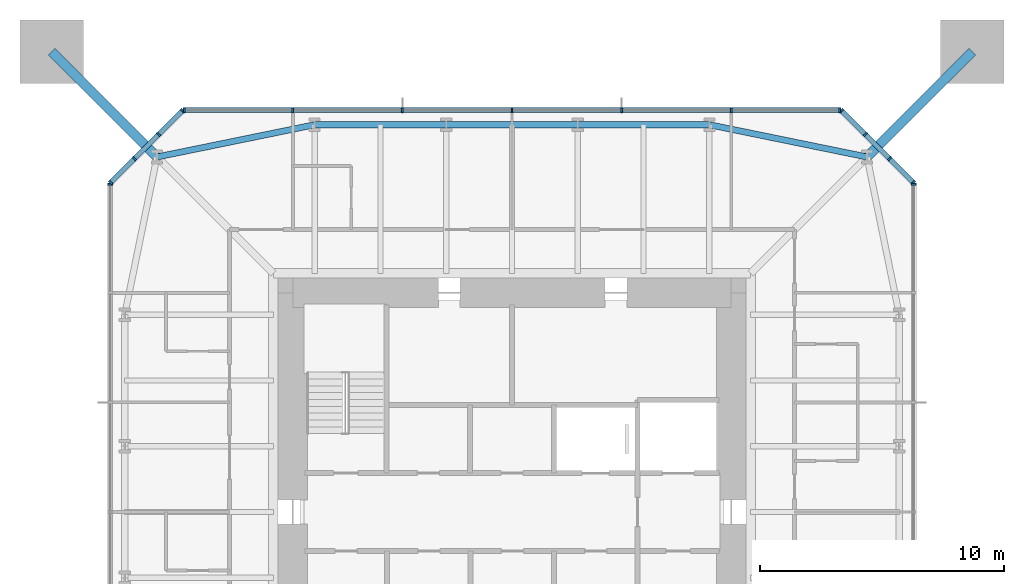
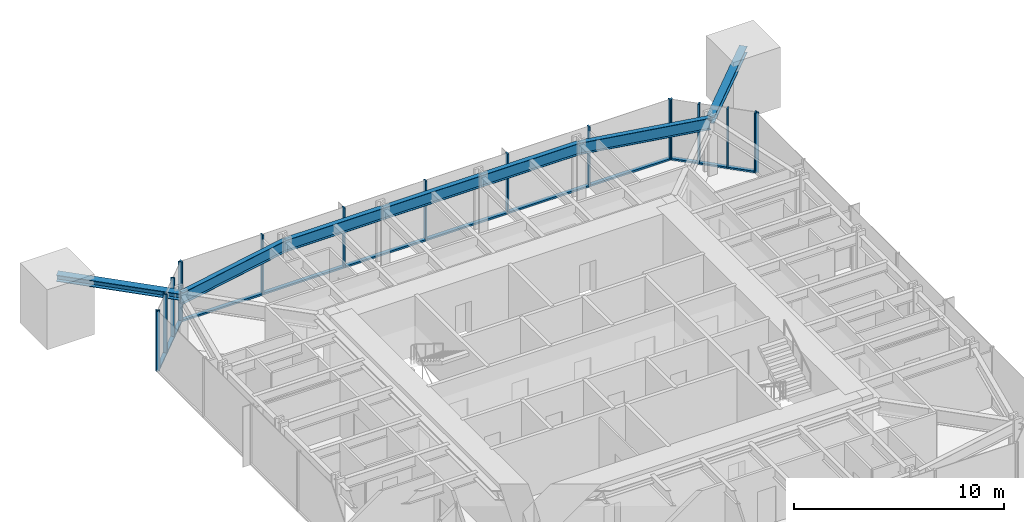
# One storey, part 4 of 9: 31 members, 5 beams, 5 elements without a shape of their own.
"""IFC4 building model written with IfcOpenShell, lengths in metres."""

import ifcopenshell
import ifcopenshell.guid

model = None  # the IFC model being written
_history = None  # IfcOwnerHistory: only IFC2X3 demands one
_inside = {}  # id of a spatial element -> (the spatial element, [elements in it])
_under = {}  # id of a project, library or spatial element -> (it, [spatial elements below it])
_declared = {}  # id of a project -> (the project, [libraries it declares])
_typed = {}  # id of a type object -> (the type object, [elements of that type])
_made_of = {}  # id of a material, layer set ... -> (it, [elements and type objects made of it])


def new_model(schema):
    """Start an empty IFC model of exactly this schema.

    Asked for "IFC4X3", IfcOpenShell would pick the latest addendum, in which some entities
    have other attributes; the version numbers below select the first issue.
    IFC2X3 requires an IfcOwnerHistory on every rooted entity: one is made here for all.
    """
    global model, _history
    if schema == "IFC4X3":
        model = ifcopenshell.file(schema_version=(4, 3, 0, 0))
    else:
        model = ifcopenshell.file(schema=schema)
    _inside.clear()
    _under.clear()
    _declared.clear()
    _typed.clear()
    _made_of.clear()
    _history = None
    if model.schema == "IFC2X3":
        org = make("IfcOrganization", Name="unknown")
        user = make(
            "IfcPersonAndOrganization",
            ThePerson=make("IfcPerson", FamilyName="unknown"),
            TheOrganization=org,
        )
        app = make(
            "IfcApplication",
            ApplicationDeveloper=org,
            Version="unknown",
            ApplicationFullName="unknown",
            ApplicationIdentifier="unknown",
        )
        _history = make(
            "IfcOwnerHistory",
            OwningUser=user,
            OwningApplication=app,
            ChangeAction="ADDED",
            CreationDate=0,
        )
    return model


def make(cls, **values):
    """One entity of the class cls with the attributes given. An attribute that is None is left unset."""
    return model.create_entity(
        cls, **{name: value for name, value in values.items() if value is not None}
    )


def rooted(cls, **values):
    """An entity with a GlobalId (a new one), such as an element, a storey or a relation."""
    return make(cls, GlobalId=ifcopenshell.guid.new(), OwnerHistory=_history, **values)


def si_unit(unit_type, name, prefix=None):
    """IfcSIUnit, for example si_unit("LENGTHUNIT", "METRE", prefix="MILLI")."""
    return make("IfcSIUnit", UnitType=unit_type, Prefix=prefix, Name=name)


def assignment(units):
    """IfcUnitAssignment: the units of a project."""
    return None if units is None else make("IfcUnitAssignment", Units=units)


def point(xyz):
    """IfcCartesianPoint."""
    return None if xyz is None else make("IfcCartesianPoint", Coordinates=xyz)


def direction(xyz):
    """IfcDirection."""
    return None if xyz is None else make("IfcDirection", DirectionRatios=xyz)


def frame(location, z_axis=None, x_axis=None):
    """IfcAxis2Placement3D, a coordinate frame: its origin and axes. An axis left out is left unset."""
    return make(
        "IfcAxis2Placement3D",
        Location=point(location),
        Axis=direction(z_axis),
        RefDirection=direction(x_axis),
    )


def frame_2d(location, x_axis=None):
    """IfcAxis2Placement2D, a coordinate frame in the plane: its origin and x axis."""
    return make(
        "IfcAxis2Placement2D", Location=point(location), RefDirection=direction(x_axis)
    )


def origin():
    """The frame at (0, 0, 0) with its axes left unset."""
    return frame((0.0, 0.0, 0.0))


def origin_2d():
    """The frame at (0, 0) in the plane with its x axis left unset."""
    return frame_2d((0.0, 0.0))


def place(relative_to, where):
    """IfcLocalPlacement: puts the frame where relative to a parent placement (None: the world)."""
    return make(
        "IfcLocalPlacement", PlacementRelTo=relative_to, RelativePlacement=where
    )


def context(
    kind, dimensions, precision=None, world=None, true_north=None, identifier=None
):
    """IfcGeometricRepresentationContext, for example the 3D "Model" context."""
    return make(
        "IfcGeometricRepresentationContext",
        ContextIdentifier=identifier,
        ContextType=kind,
        CoordinateSpaceDimension=dimensions,
        Precision=precision,
        WorldCoordinateSystem=world,
        TrueNorth=true_north,
    )


def subcontext(parent, identifier, kind, view, scale=None):
    """IfcGeometricRepresentationSubContext, for example "Body" below "Model"."""
    return make(
        "IfcGeometricRepresentationSubContext",
        ContextIdentifier=identifier,
        ContextType=kind,
        ParentContext=parent,
        TargetScale=scale,
        TargetView=view,
    )


def project(units=None, contexts=None):
    """IfcProject with its units and contexts."""
    return rooted(
        "IfcProject",
        Name="project",
        RepresentationContexts=contexts,
        UnitsInContext=assignment(units),
    )


def spatial(cls, under=None, at=None, **own):
    """A site, building, storey or space (cls), placed at a placement, below another one or the project."""
    s = rooted(cls, ObjectPlacement=at, **own)
    if under is not None:
        _under.setdefault(under.id(), (under, []))[1].append(s)
    return s


def profile(cls, at=None, kind="AREA", **sizes):
    """A parametric profile (cls). Its sizes go by their IFC names, for example OverallWidth=200.0."""
    return make(cls, ProfileType=kind, Position=at, **sizes)


def rectangle(**sizes):
    """IfcRectangleProfileDef."""
    return profile("IfcRectangleProfileDef", **sizes)


def i_section(**sizes):
    """IfcIShapeProfileDef."""
    return profile("IfcIShapeProfileDef", **sizes)


def extrude(swept, where, along, depth):
    """IfcExtrudedAreaSolid: the profile swept, set in the frame where, extruded along a direction by depth."""
    return make(
        "IfcExtrudedAreaSolid",
        SweptArea=swept,
        Position=where,
        ExtrudedDirection=direction(along),
        Depth=depth,
    )


def shape(context_of_items, identifier, shape_type, items):
    """IfcShapeRepresentation: the items that make up one representation, for example the "Body"."""
    return make(
        "IfcShapeRepresentation",
        ContextOfItems=context_of_items,
        RepresentationIdentifier=identifier,
        RepresentationType=shape_type,
        Items=items,
    )


def material(Name=None, Category=None):
    """IfcMaterial."""
    return make("IfcMaterial", Name=Name, Category=Category)


def material_profile(
    of_material, cross_section, Name=None, Category=None, Priority=None
):
    """IfcMaterialProfile: a cross section and its material."""
    return make(
        "IfcMaterialProfile",
        Name=Name,
        Material=of_material,
        Profile=cross_section,
        Priority=Priority,
        Category=Category,
    )


def profile_set(profiles, Name=None, composite=None):
    """IfcMaterialProfileSet."""
    return make(
        "IfcMaterialProfileSet",
        Name=Name,
        MaterialProfiles=profiles,
        CompositeProfile=composite,
    )


def made_of(thing, what):
    """Note that an element or type object is made of a material, layer set ...; save() writes the relation."""
    if what is not None:
        _made_of.setdefault(what.id(), (what, []))[1].append(thing)
    return thing


def type_object(cls, material=None, **own):
    """A type object (cls), such as IfcWallType, which elements share."""
    return made_of(rooted(cls, **own), material)


def element(
    cls,
    number,
    at=None,
    inside=None,
    cuts=None,
    type_object=None,
    material=None,
    context=None,
    identifier="Body",
    shape_type=None,
    held_by="IfcProductDefinitionShape",
    body=None,
    shapes=None,
    **own,
):
    """One element of the class cls, such as IfcWall. Its Tag is "e" and its number.

    at: its placement. inside: the storey or other place that contains it. cuts: it is an
    opening in that element (IfcRelVoidsElement). A single representation is given by context,
    identifier, shape_type and body (its items); several are given by shapes. held_by: the class
    of the entity that holds the representations. save() writes the other relations.
    """
    e = rooted(cls, Tag="e%d" % number, ObjectPlacement=at, **own)
    if body is not None:
        shapes = [shape(context, identifier, shape_type, body)]
    if shapes is not None:
        e.Representation = make(held_by, Representations=shapes)
    if inside is not None:
        _inside.setdefault(inside.id(), (inside, []))[1].append(e)
    if cuts is not None:
        rooted(
            "IfcRelVoidsElement", RelatingBuildingElement=cuts, RelatedOpeningElement=e
        )
    if type_object is not None:
        _typed.setdefault(type_object.id(), (type_object, []))[1].append(e)
    return made_of(e, material)


def aggregate(whole, parts):
    """IfcRelAggregates: a whole, such as a stair, and the parts it consists of."""
    return rooted("IfcRelAggregates", RelatingObject=whole, RelatedObjects=parts)


def save(model, path):
    """Write the relations noted so far, then the file.

    IfcRelAggregates (storeys below a building ...), IfcRelContainedInSpatialStructure (elements
    in a storey), IfcRelDefinesByType, IfcRelAssociatesMaterial and IfcRelDeclares: one each for
    every whole, place, type object, material and project.
    """
    for whole, parts in _under.values():
        aggregate(whole, parts)
    for where, things in _inside.values():
        rooted(
            "IfcRelContainedInSpatialStructure",
            RelatedElements=things,
            RelatingStructure=where,
        )
    for kind, things in _typed.values():
        rooted("IfcRelDefinesByType", RelatedObjects=things, RelatingType=kind)
    for what, things in _made_of.values():
        rooted("IfcRelAssociatesMaterial", RelatedObjects=things, RelatingMaterial=what)
    for by, libraries in _declared.values():
        rooted("IfcRelDeclares", RelatingContext=by, RelatedDefinitions=libraries)
    model.write(path)


model = new_model("IFC4")

# Units and contexts
model_context = context("Model", 3, precision=1e-05, world=origin(), true_north=direction((0.0, 1.0)))
body_context = subcontext(model_context, "Body", "Model", "MODEL_VIEW")
ifc_project = project(units=[si_unit("LENGTHUNIT", "METRE"), si_unit("AREAUNIT", "SQUARE_METRE"), si_unit("VOLUMEUNIT", "CUBIC_METRE"), si_unit("PLANEANGLEUNIT", "RADIAN"), si_unit("MASSUNIT", "GRAM", prefix="KILO")], contexts=[model_context])

# Site, building, storey
site_placement = place(None, origin())
site = spatial("IfcSite", under=ifc_project, at=site_placement, CompositionType="ELEMENT")
building_placement = place(site_placement, origin())
building = spatial("IfcBuilding", under=site, at=building_placement, Name="Iwan Alto Co-Living Towers", CompositionType="ELEMENT")
storey_placement = place(building_placement, frame((0.0, 0.0, 264.0)))
storey = spatial("IfcBuildingStorey", under=building, at=storey_placement, Name="L72", CompositionType="ELEMENT", Elevation=264.0)

# Curtain wall, member
ifc_material_1 = material(Name="Bronze aluminium unitised frame", Category="aluminium")
curtain_wall_type_1 = type_object("IfcCurtainWallType", Name="CURTAIN WALL CW-A", PredefinedType="NOTDEFINED", material=ifc_material_1)
curtain_wall_1_placement = place(storey_placement, origin())
curtain_wall_1 = element("IfcCurtainWall", 1, at=curtain_wall_1_placement, inside=storey, type_object=curtain_wall_type_1, Name="T1 curtain wall E L72", PredefinedType="NOTDEFINED")
ifc_material_2 = material(Name="Aluminium 6063-T6 bronze anodised", Category="aluminium")
ifc_material_profile_1 = material_profile(ifc_material_2, rectangle(XDim=0.199951171875, YDim=0.080078125, at=origin_2d()), Name="AL 80X200")
ifc_profile_set_1 = profile_set([ifc_material_profile_1], Name="Aluminium 6063-T6 bronze anodised")
member_type_1 = type_object("IfcMemberType", Name="CW-A MULLION 80X200", PredefinedType="MULLION", material=ifc_profile_set_1)
member_1_placement = place(storey_placement, frame((16.5, 13.4599609375, 0.0), z_axis=(0.0, 0.0, 1.0), x_axis=(-1.0, 0.0, 0.0)))
member_1 = element("IfcMember", 2, at=member_1_placement, type_object=member_type_1, Name="CW-A mullion 7", PredefinedType="MULLION", context=body_context, shape_type="SweptSolid", body=[
    extrude(rectangle(XDim=0.199951171875, YDim=0.080078125, at=origin_2d()), origin(), (0.0, 0.0, 1.0), 3.5),
])
aggregate(curtain_wall_1, [member_1])

# Curtain wall, members
curtain_wall_2_placement = place(storey_placement, origin())
curtain_wall_2 = element("IfcCurtainWall", 3, at=curtain_wall_2_placement, inside=storey, type_object=curtain_wall_type_1, Name="T1 curtain wall N L72", PredefinedType="NOTDEFINED")
member_2_placement = place(storey_placement, frame((13.4599609375, 16.5, 0.0), z_axis=(0.0, 0.0, 1.0), x_axis=(0.0, -1.0, 0.0)))
member_2 = element("IfcMember", 4, at=member_2_placement, type_object=member_type_1, Name="CW-A mullion 1", PredefinedType="MULLION", context=body_context, shape_type="SweptSolid", body=[
    extrude(rectangle(XDim=0.199951171875, YDim=0.080078125, at=origin_2d()), origin(), (0.0, 0.0, 1.0), 3.5),
])
member_3_placement = place(storey_placement, frame((9.0, 16.5, 0.0), z_axis=(0.0, 0.0, 1.0), x_axis=(0.0, -1.0, 0.0)))
member_3 = element("IfcMember", 5, at=member_3_placement, type_object=member_type_1, Name="CW-A mullion 2", PredefinedType="MULLION", context=body_context, shape_type="SweptSolid", body=[
    extrude(rectangle(XDim=0.199951171875, YDim=0.080078125, at=origin_2d()), origin(), (0.0, 0.0, 1.0), 3.5),
])
member_4_placement = place(storey_placement, frame((4.5, 16.5, 0.0), z_axis=(0.0, 0.0, 1.0), x_axis=(0.0, -1.0, 0.0)))
member_4 = element("IfcMember", 6, at=member_4_placement, type_object=member_type_1, Name="CW-A mullion 3", PredefinedType="MULLION", context=body_context, shape_type="SweptSolid", body=[
    extrude(rectangle(XDim=0.199951171875, YDim=0.080078125, at=origin_2d()), origin(), (0.0, 0.0, 1.0), 3.5),
])
member_5_placement = place(storey_placement, frame((0.0, 16.5, 0.0), z_axis=(0.0, 0.0, 1.0), x_axis=(0.0, -1.0, 0.0)))
member_5 = element("IfcMember", 7, at=member_5_placement, type_object=member_type_1, Name="CW-A mullion 4", PredefinedType="MULLION", context=body_context, shape_type="SweptSolid", body=[
    extrude(rectangle(XDim=0.199951171875, YDim=0.080078125, at=origin_2d()), origin(), (0.0, 0.0, 1.0), 3.5),
])
member_6_placement = place(storey_placement, frame((-4.5, 16.5, 0.0), z_axis=(0.0, 0.0, 1.0), x_axis=(0.0, -1.0, 0.0)))
member_6 = element("IfcMember", 8, at=member_6_placement, type_object=member_type_1, Name="CW-A mullion 5", PredefinedType="MULLION", context=body_context, shape_type="SweptSolid", body=[
    extrude(rectangle(XDim=0.199951171875, YDim=0.080078125, at=origin_2d()), origin(), (0.0, 0.0, 1.0), 3.5),
])
member_7_placement = place(storey_placement, frame((-9.0, 16.5, 0.0), z_axis=(0.0, 0.0, 1.0), x_axis=(0.0, -1.0, 0.0)))
member_7 = element("IfcMember", 9, at=member_7_placement, type_object=member_type_1, Name="CW-A mullion 6", PredefinedType="MULLION", context=body_context, shape_type="SweptSolid", body=[
    extrude(rectangle(XDim=0.199951171875, YDim=0.080078125, at=origin_2d()), origin(), (0.0, 0.0, 1.0), 3.5),
])
member_8_placement = place(storey_placement, frame((-13.4599609375, 16.5, 0.0), z_axis=(0.0, 0.0, 1.0), x_axis=(0.0, -1.0, 0.0)))
member_8 = element("IfcMember", 10, at=member_8_placement, type_object=member_type_1, Name="CW-A mullion 7", PredefinedType="MULLION", context=body_context, shape_type="SweptSolid", body=[
    extrude(rectangle(XDim=0.199951171875, YDim=0.080078125, at=origin_2d()), origin(), (0.0, 0.0, 1.0), 3.5),
])

# Curtain wall, member
curtain_wall_3_placement = place(storey_placement, origin())
curtain_wall_3 = element("IfcCurtainWall", 11, at=curtain_wall_3_placement, inside=storey, type_object=curtain_wall_type_1, Name="T1 curtain wall W L72", PredefinedType="NOTDEFINED")
member_9_placement = place(storey_placement, frame((-16.5, 13.4599609375, 0.0), z_axis=(0.0, 0.0, 1.0), x_axis=(1.0, 0.0, 0.0)))
member_9 = element("IfcMember", 12, at=member_9_placement, type_object=member_type_1, Name="CW-A mullion 1", PredefinedType="MULLION", context=body_context, shape_type="SweptSolid", body=[
    extrude(rectangle(XDim=0.199951171875, YDim=0.080078125, at=origin_2d()), origin(), (0.0, 0.0, 1.0), 3.5),
])
aggregate(curtain_wall_3, [member_9])

# Member
ifc_material_3 = material(Name="Aluminium 6063-T6 bronze anodised", Category="aluminium")
ifc_material_profile_2 = material_profile(ifc_material_3, rectangle(XDim=0.199951171875, YDim=0.10009765625, at=origin_2d()), Name="AL 200X100")
ifc_profile_set_2 = profile_set([ifc_material_profile_2], Name="Aluminium 6063-T6 bronze anodised")
member_type_2 = type_object("IfcMemberType", Name="CW-A TRANSOM 200X100", PredefinedType="USERDEFINED", material=ifc_profile_set_2)
member_10_placement = place(storey_placement, frame((13.419921875, 16.5, 0.050048828125), z_axis=(-1.0, 0.0, 0.0), x_axis=(0.0, -1.0, 0.0)))
member_10 = element("IfcMember", 13, at=member_10_placement, type_object=member_type_2, Name="CW-A transom 1.1", ObjectType="TRANSOM", PredefinedType="USERDEFINED", context=body_context, shape_type="SweptSolid", body=[
    extrude(rectangle(XDim=0.199951171875, YDim=0.10009765625, at=origin_2d()), origin(), (0.0, 0.0, 1.0), 4.3798828125),
])

member_11_placement = place(storey_placement, frame((8.9599609375, 16.5, 0.050048828125), z_axis=(-1.0, 0.0, 0.0), x_axis=(0.0, -1.0, 0.0)))
member_11 = element("IfcMember", 14, at=member_11_placement, type_object=member_type_2, Name="CW-A transom 2.1", ObjectType="TRANSOM", PredefinedType="USERDEFINED", context=body_context, shape_type="SweptSolid", body=[
    extrude(rectangle(XDim=0.199951171875, YDim=0.10009765625, at=origin_2d()), origin(), (0.0, 0.0, 1.0), 4.419921875),
])

member_12_placement = place(storey_placement, frame((4.4599609375, 16.5, 0.050048828125), z_axis=(-1.0, 0.0, 0.0), x_axis=(0.0, -1.0, 0.0)))
member_12 = element("IfcMember", 15, at=member_12_placement, type_object=member_type_2, Name="CW-A transom 3.1", ObjectType="TRANSOM", PredefinedType="USERDEFINED", context=body_context, shape_type="SweptSolid", body=[
    extrude(rectangle(XDim=0.199951171875, YDim=0.10009765625, at=origin_2d()), origin(), (0.0, 0.0, 1.0), 4.419921875),
])

member_13_placement = place(storey_placement, frame((-0.0400390625, 16.5, 0.050048828125), z_axis=(-1.0, 0.0, 0.0), x_axis=(0.0, -1.0, 0.0)))
member_13 = element("IfcMember", 16, at=member_13_placement, type_object=member_type_2, Name="CW-A transom 4.1", ObjectType="TRANSOM", PredefinedType="USERDEFINED", context=body_context, shape_type="SweptSolid", body=[
    extrude(rectangle(XDim=0.199951171875, YDim=0.10009765625, at=origin_2d()), origin(), (0.0, 0.0, 1.0), 4.419921875),
])

member_14_placement = place(storey_placement, frame((-4.5400390625, 16.5, 0.050048828125), z_axis=(-1.0, 0.0, 0.0), x_axis=(0.0, -1.0, 0.0)))
member_14 = element("IfcMember", 17, at=member_14_placement, type_object=member_type_2, Name="CW-A transom 5.1", ObjectType="TRANSOM", PredefinedType="USERDEFINED", context=body_context, shape_type="SweptSolid", body=[
    extrude(rectangle(XDim=0.199951171875, YDim=0.10009765625, at=origin_2d()), origin(), (0.0, 0.0, 1.0), 4.419921875),
])

member_15_placement = place(storey_placement, frame((-9.0400390625, 16.5, 0.050048828125), z_axis=(-1.0, 0.0, 0.0), x_axis=(0.0, -1.0, 0.0)))
member_15 = element("IfcMember", 18, at=member_15_placement, type_object=member_type_2, Name="CW-A transom 6.1", ObjectType="TRANSOM", PredefinedType="USERDEFINED", context=body_context, shape_type="SweptSolid", body=[
    extrude(rectangle(XDim=0.199951171875, YDim=0.10009765625, at=origin_2d()), origin(), (0.0, 0.0, 1.0), 4.3798828125),
])

aggregate(curtain_wall_2, [member_2, member_3, member_4, member_5, member_6, member_7, member_8, member_10, member_11, member_12, member_13, member_14, member_15])

# Curtain wall, members
ifc_material_4 = material(Name="Bronze aluminium unitised frame", Category="aluminium")
curtain_wall_type_2 = type_object("IfcCurtainWallType", Name="CURTAIN WALL CW-B", PredefinedType="NOTDEFINED", material=ifc_material_4)
curtain_wall_4_placement = place(storey_placement, origin())
curtain_wall_4 = element("IfcCurtainWall", 19, at=curtain_wall_4_placement, inside=storey, type_object=curtain_wall_type_2, Name="T1 chamfer curtain wall NE L72", PredefinedType="NOTDEFINED")
ifc_material_5 = material(Name="Aluminium 6063-T6 bronze anodised", Category="aluminium")
ifc_material_profile_3 = material_profile(ifc_material_5, rectangle(XDim=0.199951171875, YDim=0.080078125, at=origin_2d()), Name="AL 80X200")
ifc_profile_set_3 = profile_set([ifc_material_profile_3], Name="Aluminium 6063-T6 bronze anodised")
member_type_3 = type_object("IfcMemberType", Name="CW-B MULLION 80X200", PredefinedType="MULLION", material=ifc_profile_set_3)
member_16_placement = place(storey_placement, frame((16.4716796875, 13.5283203125, 0.0), z_axis=(0.0, 0.0, 1.0), x_axis=(-0.707106781187, -0.707106781187, 0.0)))
member_16 = element("IfcMember", 20, at=member_16_placement, type_object=member_type_3, Name="CW-B mullion 1", PredefinedType="MULLION", context=body_context, shape_type="SweptSolid", body=[
    extrude(rectangle(XDim=0.199951171875, YDim=0.080078125, at=origin_2d()), origin(), (0.0, 0.0, 1.0), 3.5),
])
member_17_placement = place(storey_placement, frame((15.5, 14.5, 0.0), z_axis=(0.0, 0.0, 1.0), x_axis=(-0.707106781187, -0.707106781187, 0.0)))
member_17 = element("IfcMember", 21, at=member_17_placement, type_object=member_type_3, Name="CW-B mullion 2", PredefinedType="MULLION", context=body_context, shape_type="SweptSolid", body=[
    extrude(rectangle(XDim=0.199951171875, YDim=0.080078125, at=origin_2d()), origin(), (0.0, 0.0, 1.0), 3.5),
])
member_18_placement = place(storey_placement, frame((14.5, 15.5, 0.0), z_axis=(0.0, 0.0, 1.0), x_axis=(-0.707106781187, -0.707106781187, 0.0)))
member_18 = element("IfcMember", 22, at=member_18_placement, type_object=member_type_3, Name="CW-B mullion 3", PredefinedType="MULLION", context=body_context, shape_type="SweptSolid", body=[
    extrude(rectangle(XDim=0.199951171875, YDim=0.080078125, at=origin_2d()), origin(), (0.0, 0.0, 1.0), 3.5),
])
member_19_placement = place(storey_placement, frame((13.5283203125, 16.4716796875, 0.0), z_axis=(0.0, 0.0, 1.0), x_axis=(-0.707106781187, -0.707106781187, 0.0)))
member_19 = element("IfcMember", 23, at=member_19_placement, type_object=member_type_3, Name="CW-B mullion 4", PredefinedType="MULLION", context=body_context, shape_type="SweptSolid", body=[
    extrude(rectangle(XDim=0.199951171875, YDim=0.080078125, at=origin_2d()), origin(), (0.0, 0.0, 1.0), 3.5),
])

curtain_wall_5_placement = place(storey_placement, origin())
curtain_wall_5 = element("IfcCurtainWall", 24, at=curtain_wall_5_placement, inside=storey, type_object=curtain_wall_type_2, Name="T1 chamfer curtain wall NW L72", PredefinedType="NOTDEFINED")
member_20_placement = place(storey_placement, frame((-13.5283203125, 16.4716796875, 0.0), z_axis=(0.0, 0.0, 1.0), x_axis=(0.707106781187, -0.707106781187, 0.0)))
member_20 = element("IfcMember", 25, at=member_20_placement, type_object=member_type_3, Name="CW-B mullion 1", PredefinedType="MULLION", context=body_context, shape_type="SweptSolid", body=[
    extrude(rectangle(XDim=0.199951171875, YDim=0.080078125, at=origin_2d()), origin(), (0.0, 0.0, 1.0), 3.5),
])
member_21_placement = place(storey_placement, frame((-14.5, 15.5, 0.0), z_axis=(0.0, 0.0, 1.0), x_axis=(0.707106781187, -0.707106781187, 0.0)))
member_21 = element("IfcMember", 26, at=member_21_placement, type_object=member_type_3, Name="CW-B mullion 2", PredefinedType="MULLION", context=body_context, shape_type="SweptSolid", body=[
    extrude(rectangle(XDim=0.199951171875, YDim=0.080078125, at=origin_2d()), origin(), (0.0, 0.0, 1.0), 3.5),
])
member_22_placement = place(storey_placement, frame((-15.5, 14.5, 0.0), z_axis=(0.0, 0.0, 1.0), x_axis=(0.707106781187, -0.707106781187, 0.0)))
member_22 = element("IfcMember", 27, at=member_22_placement, type_object=member_type_3, Name="CW-B mullion 3", PredefinedType="MULLION", context=body_context, shape_type="SweptSolid", body=[
    extrude(rectangle(XDim=0.199951171875, YDim=0.080078125, at=origin_2d()), origin(), (0.0, 0.0, 1.0), 3.5),
])
member_23_placement = place(storey_placement, frame((-16.4716796875, 13.5283203125, 0.0), z_axis=(0.0, 0.0, 1.0), x_axis=(0.707106781187, -0.707106781187, 0.0)))
member_23 = element("IfcMember", 28, at=member_23_placement, type_object=member_type_3, Name="CW-B mullion 4", PredefinedType="MULLION", context=body_context, shape_type="SweptSolid", body=[
    extrude(rectangle(XDim=0.199951171875, YDim=0.080078125, at=origin_2d()), origin(), (0.0, 0.0, 1.0), 3.5),
])

# Member
ifc_material_6 = material(Name="Aluminium 6063-T6 bronze anodised", Category="aluminium")
ifc_material_profile_4 = material_profile(ifc_material_6, rectangle(XDim=0.199951171875, YDim=0.10009765625, at=origin_2d()), Name="AL 200X100")
ifc_profile_set_4 = profile_set([ifc_material_profile_4], Name="Aluminium 6063-T6 bronze anodised")
member_type_4 = type_object("IfcMemberType", Name="CW-B TRANSOM 200X100", PredefinedType="USERDEFINED", material=ifc_profile_set_4)
member_24_placement = place(storey_placement, frame((16.443359375, 13.556640625, 0.050048828125), z_axis=(-0.707106781187, 0.707106781187, 0.0), x_axis=(-0.707106781187, -0.707106781187, 0.0)))
member_24 = element("IfcMember", 29, at=member_24_placement, type_object=member_type_4, Name="CW-B transom 1.1", ObjectType="TRANSOM", PredefinedType="USERDEFINED", context=body_context, shape_type="SweptSolid", body=[
    extrude(rectangle(XDim=0.199951171875, YDim=0.10009765625, at=origin_2d()), origin(), (0.0, 0.0, 1.0), 1.2939453125),
])

member_25_placement = place(storey_placement, frame((15.4716796875, 14.5283203125, 0.050048828125), z_axis=(-0.707106781187, 0.707106781187, 0.0), x_axis=(-0.707106781187, -0.707106781187, 0.0)))
member_25 = element("IfcMember", 30, at=member_25_placement, type_object=member_type_4, Name="CW-B transom 2.1", ObjectType="TRANSOM", PredefinedType="USERDEFINED", context=body_context, shape_type="SweptSolid", body=[
    extrude(rectangle(XDim=0.199951171875, YDim=0.10009765625, at=origin_2d()), origin(), (0.0, 0.0, 1.0), 1.334228515625),
])

member_26_placement = place(storey_placement, frame((14.4716796875, 15.5283203125, 0.050048828125), z_axis=(-0.707106781187, 0.707106781187, 0.0), x_axis=(-0.707106781187, -0.707106781187, 0.0)))
member_26 = element("IfcMember", 31, at=member_26_placement, type_object=member_type_4, Name="CW-B transom 3.1", ObjectType="TRANSOM", PredefinedType="USERDEFINED", context=body_context, shape_type="SweptSolid", body=[
    extrude(rectangle(XDim=0.199951171875, YDim=0.10009765625, at=origin_2d()), origin(), (0.0, 0.0, 1.0), 1.2939453125),
])

aggregate(curtain_wall_4, [member_16, member_17, member_18, member_19, member_24, member_25, member_26])

member_27_placement = place(storey_placement, frame((-13.556640625, 16.443359375, 0.050048828125), z_axis=(-0.707106781187, -0.707106781187, 0.0), x_axis=(0.707106781187, -0.707106781187, 0.0)))
member_27 = element("IfcMember", 32, at=member_27_placement, type_object=member_type_4, Name="CW-B transom 1.1", ObjectType="TRANSOM", PredefinedType="USERDEFINED", context=body_context, shape_type="SweptSolid", body=[
    extrude(rectangle(XDim=0.199951171875, YDim=0.10009765625, at=origin_2d()), origin(), (0.0, 0.0, 1.0), 1.2939453125),
])

member_28_placement = place(storey_placement, frame((-14.5283203125, 15.4716796875, 0.050048828125), z_axis=(-0.707106781187, -0.707106781187, 0.0), x_axis=(0.707106781187, -0.707106781187, 0.0)))
member_28 = element("IfcMember", 33, at=member_28_placement, type_object=member_type_4, Name="CW-B transom 2.1", ObjectType="TRANSOM", PredefinedType="USERDEFINED", context=body_context, shape_type="SweptSolid", body=[
    extrude(rectangle(XDim=0.199951171875, YDim=0.10009765625, at=origin_2d()), origin(), (0.0, 0.0, 1.0), 1.334228515625),
])

member_29_placement = place(storey_placement, frame((-15.5283203125, 14.4716796875, 0.050048828125), z_axis=(-0.707106781187, -0.707106781187, 0.0), x_axis=(0.707106781187, -0.707106781187, 0.0)))
member_29 = element("IfcMember", 34, at=member_29_placement, type_object=member_type_4, Name="CW-B transom 3.1", ObjectType="TRANSOM", PredefinedType="USERDEFINED", context=body_context, shape_type="SweptSolid", body=[
    extrude(rectangle(XDim=0.199951171875, YDim=0.10009765625, at=origin_2d()), origin(), (0.0, 0.0, 1.0), 1.2939453125),
])

aggregate(curtain_wall_5, [member_20, member_21, member_22, member_23, member_27, member_28, member_29])

# Beams
ifc_material_7 = material(Name="Steel ASTM A992 Gr 50", Category="steel")
ifc_material_profile_5 = material_profile(ifc_material_7, i_section(OverallWidth=0.25390625, OverallDepth=0.683349609375, WebThickness=0.012451171875, FlangeThickness=0.018798828125, at=origin_2d()), Name="W27X94")
ifc_profile_set_5 = profile_set([ifc_material_profile_5], Name="Steel ASTM A992 Gr 50")
beam_type = type_object("IfcBeamType", Name="T1 EDGE BEAM W27X94", PredefinedType="BEAM", material=ifc_profile_set_5)
beam_1_placement = place(storey_placement, frame((14.57568359375, 14.57568359375, 2.908447265625), z_axis=(-0.979724820103, 0.200347889618, 0.0), x_axis=(-0.200347889618, -0.979724820103, 0.0)))
element("IfcBeam", 35, at=beam_1_placement, inside=storey, type_object=beam_type, Name="T1 edge beam CNE RF", PredefinedType="BEAM", context=body_context, shape_type="SweptSolid", body=[
    extrude(i_section(OverallWidth=0.25390625, OverallDepth=0.683349609375, WebThickness=0.012451171875, FlangeThickness=0.018798828125, at=origin_2d()), origin(), (0.0, 0.0, 1.0), 6.609619140625),
])
beam_2_placement = place(storey_placement, frame((8.10009765625, 15.89990234375, 2.908447265625), z_axis=(-1.0, 0.0, 0.0), x_axis=(0.0, -1.0, 0.0)))
element("IfcBeam", 36, at=beam_2_placement, inside=storey, type_object=beam_type, Name="T1 edge beam N1 RF", PredefinedType="BEAM", context=body_context, shape_type="SweptSolid", body=[
    extrude(i_section(OverallWidth=0.25390625, OverallDepth=0.683349609375, WebThickness=0.012451171875, FlangeThickness=0.018798828125, at=origin_2d()), origin(), (0.0, 0.0, 1.0), 5.400146484375),
])
beam_3_placement = place(storey_placement, frame((2.699951171875, 15.89990234375, 2.908447265625), z_axis=(-1.0, 0.0, 0.0), x_axis=(0.0, -1.0, 0.0)))
element("IfcBeam", 37, at=beam_3_placement, inside=storey, type_object=beam_type, Name="T1 edge beam N2 RF", PredefinedType="BEAM", context=body_context, shape_type="SweptSolid", body=[
    extrude(i_section(OverallWidth=0.25390625, OverallDepth=0.683349609375, WebThickness=0.012451171875, FlangeThickness=0.018798828125, at=origin_2d()), origin(), (0.0, 0.0, 1.0), 5.39990234375),
])
beam_4_placement = place(storey_placement, frame((-2.699951171875, 15.89990234375, 2.908447265625), z_axis=(-1.0, 0.0, 0.0), x_axis=(0.0, -1.0, 0.0)))
element("IfcBeam", 38, at=beam_4_placement, inside=storey, type_object=beam_type, Name="T1 edge beam N3 RF", PredefinedType="BEAM", context=body_context, shape_type="SweptSolid", body=[
    extrude(i_section(OverallWidth=0.25390625, OverallDepth=0.683349609375, WebThickness=0.012451171875, FlangeThickness=0.018798828125, at=origin_2d()), origin(), (0.0, 0.0, 1.0), 5.400146484375),
])
beam_5_placement = place(storey_placement, frame((-8.10009765625, 15.89990234375, 2.908447265625), z_axis=(-0.979724820103, -0.200347889618, 0.0), x_axis=(0.200347889618, -0.979724820103, 0.0)))
element("IfcBeam", 39, at=beam_5_placement, inside=storey, type_object=beam_type, Name="T1 edge beam N4 RF", PredefinedType="BEAM", context=body_context, shape_type="SweptSolid", body=[
    extrude(i_section(OverallWidth=0.25390625, OverallDepth=0.683349609375, WebThickness=0.012451171875, FlangeThickness=0.018798828125, at=origin_2d()), origin(), (0.0, 0.0, 1.0), 6.609619140625),
])

# Members
ifc_material_8 = material(Name="Steel ASTM A992 Gr 50", Category="steel")
ifc_material_profile_6 = material_profile(ifc_material_8, i_section(OverallWidth=0.393798828125, OverallDepth=0.3759765625, WebThickness=0.017333984375, FlangeThickness=0.027587890625, at=origin_2d()), Name="W14X145")
ifc_profile_set_6 = profile_set([ifc_material_profile_6], Name="Steel ASTM A992 Gr 50")
member_type_5 = type_object("IfcMemberType", Name="T1 MEGA COLUMN FLOOR TIE W14X145", PredefinedType="STRUT", material=ifc_profile_set_6)
for number, where, z_axis, x_axis, name in (
    (40, (18.89990234375, 18.89990234375, 3.06201171875), (-0.707106781187, -0.707106781187, 0.0), (0.707106781187, -0.707106781187, 0.0), "T1 mega column floor tie NE RF"),
    (41, (-18.89990234375, 18.89990234375, 3.06201171875), (0.707106781187, -0.707106781187, 0.0), (0.707106781187, 0.707106781187, 0.0), "T1 mega column floor tie NW RF"),
):
    element("IfcMember", number, at=place(storey_placement, frame(where, z_axis=z_axis, x_axis=x_axis)), inside=storey, type_object=member_type_5, Name=name, PredefinedType="STRUT", context=body_context, shape_type="SweptSolid", body=[
        extrude(i_section(OverallWidth=0.393798828125, OverallDepth=0.3759765625, WebThickness=0.017333984375, FlangeThickness=0.027587890625, at=origin_2d()), origin(), (0.0, 0.0, 1.0), 6.115478515625),
    ])

save(model, "model.ifc")
